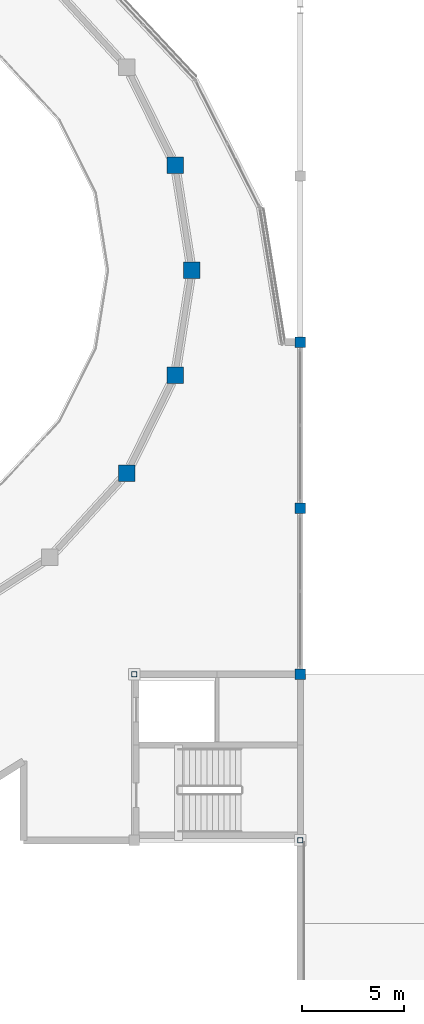
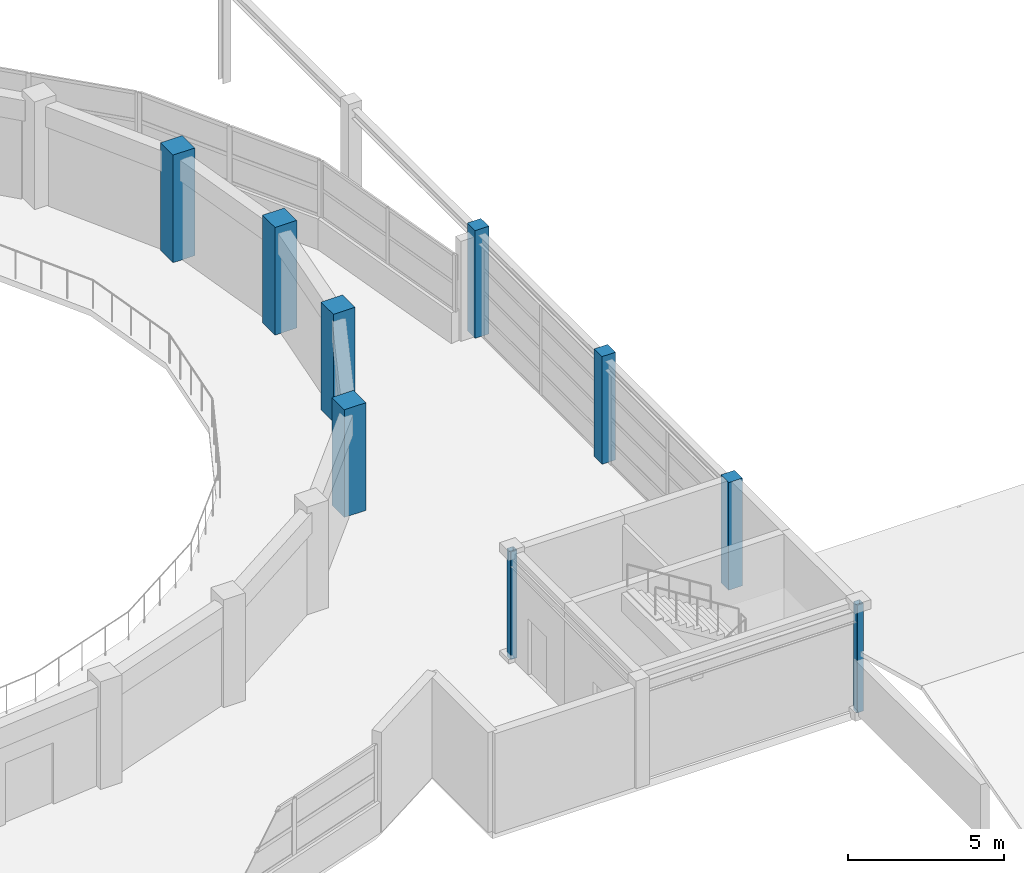
# One storey, part 2 of 54: 9 columns.
"""IFC4 building model written with IfcOpenShell, lengths in metres."""

from ifc_helpers import new_model, si_unit, direction, frame, origin, origin_2d, place, context, subcontext, project, spatial, rectangle, hollow_rectangle, extrude, material, material_profile, profile_set, type_object, element, save


model = new_model("IFC4")

# Units and contexts
model_context = context("Model", 3, precision=1e-05, world=origin(), true_north=direction((0.0, 1.0)))
body_context = subcontext(model_context, "Body", "Model", "MODEL_VIEW")
ifc_project = project(units=[si_unit("LENGTHUNIT", "METRE"), si_unit("AREAUNIT", "SQUARE_METRE"), si_unit("VOLUMEUNIT", "CUBIC_METRE"), si_unit("PLANEANGLEUNIT", "RADIAN"), si_unit("MASSUNIT", "GRAM", prefix="KILO")], contexts=[model_context])

# Site, building, storey
site_placement = place(None, origin())
site = spatial("IfcSite", under=ifc_project, at=site_placement, CompositionType="ELEMENT")
building_placement = place(site_placement, origin())
building = spatial("IfcBuilding", under=site, at=building_placement, Name="Parian Resonance Hall", CompositionType="ELEMENT")
storey_placement = place(building_placement, frame((0.0, 0.0, 15.0)))
storey = spatial("IfcBuildingStorey", under=building, at=storey_placement, Name="L03", CompositionType="ELEMENT", Elevation=15.0)

# Columns
ifc_material_1 = material(Name="Concrete C40/50", Category="concrete")
ifc_material_profile_1 = material_profile(ifc_material_1, rectangle(XDim=0.5, YDim=0.5, at=origin_2d()), Name="RC-COL-500x500")
ifc_profile_set_1 = profile_set([ifc_material_profile_1], Name="Concrete C40/50")
column_type_1 = type_object("IfcColumnType", Name="COL-RC500", PredefinedType="COLUMN", material=ifc_profile_set_1)
for number, where, z_axis, x_axis, name in (
    (1, (72.89990234375, 24.300048828125, 0.0), (0.0, 0.0, 1.0), (1.0, 0.0, 0.0), "Column G10-04 L03"),
    (2, (72.89990234375, 32.39990234375, 0.0), (0.0, 0.0, 1.0), (1.0, 0.0, 0.0), "Column G10-05 L03"),
    (3, (72.89990234375, 40.5, 0.0), (0.0, 0.0, 1.0), (1.0, 0.0, 0.0), "Column G10-06 L03"),
):
    element("IfcColumn", number, at=place(storey_placement, frame(where, z_axis=z_axis, x_axis=x_axis)), inside=storey, type_object=column_type_1, Name=name, PredefinedType="COLUMN", context=body_context, shape_type="SweptSolid", body=[
        extrude(rectangle(XDim=0.5, YDim=0.5, at=origin_2d()), origin(), (0.0, 0.0, 1.0), 4.199951171875),
    ])
ifc_material_2 = material(Name="Concrete C40/50", Category="concrete")
ifc_material_profile_2 = material_profile(ifc_material_2, rectangle(XDim=0.800048828125, YDim=0.800048828125, at=origin_2d()), Name="RC-COL-800x800")
ifc_profile_set_2 = profile_set([ifc_material_profile_2], Name="Concrete C40/50")
column_type_2 = type_object("IfcColumnType", Name="COL-RC800", PredefinedType="COLUMN", material=ifc_profile_set_2)
for number, where, z_axis, x_axis, name in (
    (4, (67.60009765625, 44.0, 0.0), (0.0, 0.0, 1.0), (1.0, 0.0, 0.0), "Column DRM-01 L03"),
    (5, (66.7958984375, 49.12451171875, 0.0), (0.0, 0.0, 1.0), (1.0, 0.0, 0.0), "Column DRM-02 L03"),
    (6, (64.438232421875, 34.10009765625, 0.0), (0.0, 0.0, 1.0), (1.0, 0.0, 0.0), "Column DRM-23 L03"),
    (7, (66.7958984375, 38.87548828125, 0.0), (0.0, 0.0, 1.0), (1.0, 0.0, 0.0), "Column DRM-24 L03"),
):
    element("IfcColumn", number, at=place(storey_placement, frame(where, z_axis=z_axis, x_axis=x_axis)), inside=storey, type_object=column_type_2, Name=name, PredefinedType="COLUMN", context=body_context, shape_type="SweptSolid", body=[
        extrude(rectangle(XDim=0.800048828125, YDim=0.800048828125, at=origin_2d()), origin(), (0.0, 0.0, 1.0), 4.199951171875),
    ])
ifc_material_3 = material(Name="Hollow structural steel S355", Category="steel")
ifc_material_profile_3 = material_profile(ifc_material_3, hollow_rectangle(XDim=0.25, YDim=0.25, WallThickness=0.012451171875, InnerFilletRadius=0.012451171875, OuterFilletRadius=0.02490234375, at=origin_2d()), Name="SHS250x250x12.5")
ifc_profile_set_3 = profile_set([ifc_material_profile_3], Name="Hollow structural steel S355")
column_type_3 = type_object("IfcColumnType", Name="COL-SHS250", PredefinedType="COLUMN", material=ifc_profile_set_3)
for number, where, z_axis, x_axis, name in (
    (8, (64.800048828125, 24.300048828125, 0.0), (0.0, 0.0, 1.0), (1.0, 0.0, 0.0), "Column G09-04 L03"),
    (9, (72.89990234375, 16.199951171875, 0.0), (0.0, 0.0, 1.0), (1.0, 0.0, 0.0), "Column G10-03 L03"),
):
    element("IfcColumn", number, at=place(storey_placement, frame(where, z_axis=z_axis, x_axis=x_axis)), inside=storey, type_object=column_type_3, Name=name, PredefinedType="COLUMN", context=body_context, shape_type="SweptSolid", body=[
        extrude(hollow_rectangle(XDim=0.25, YDim=0.25, WallThickness=0.012451171875, InnerFilletRadius=0.012451171875, OuterFilletRadius=0.02490234375, at=origin_2d()), origin(), (0.0, 0.0, 1.0), 4.199951171875),
    ])

save(model, "model.ifc")
